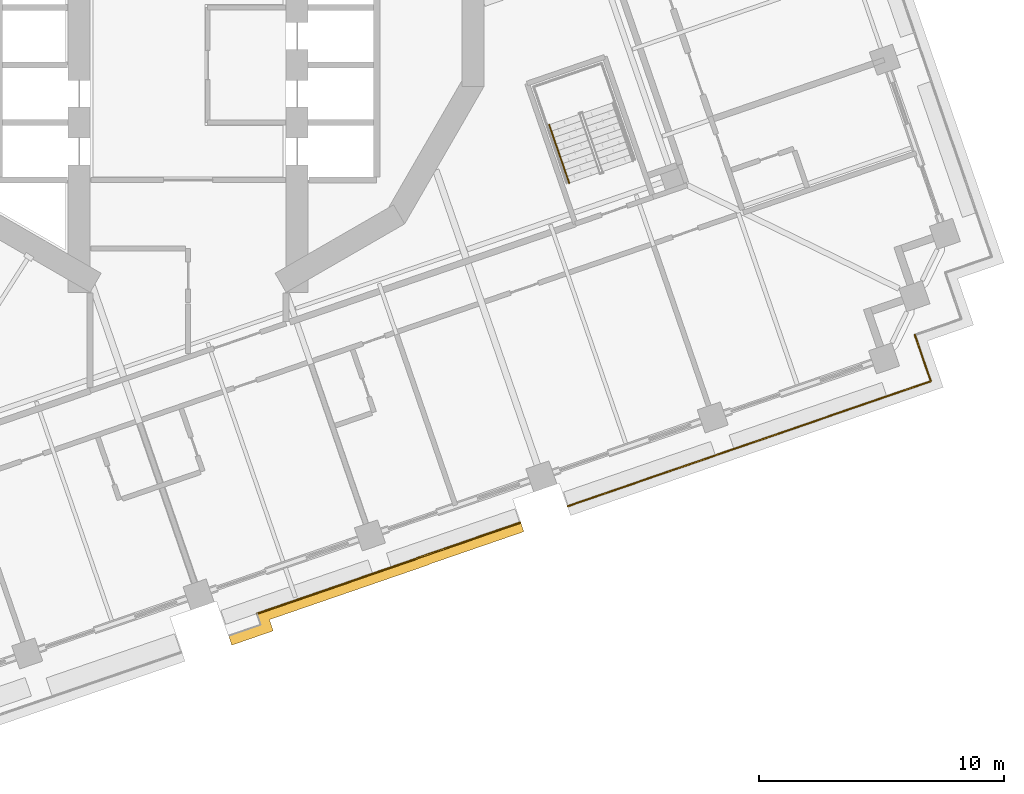
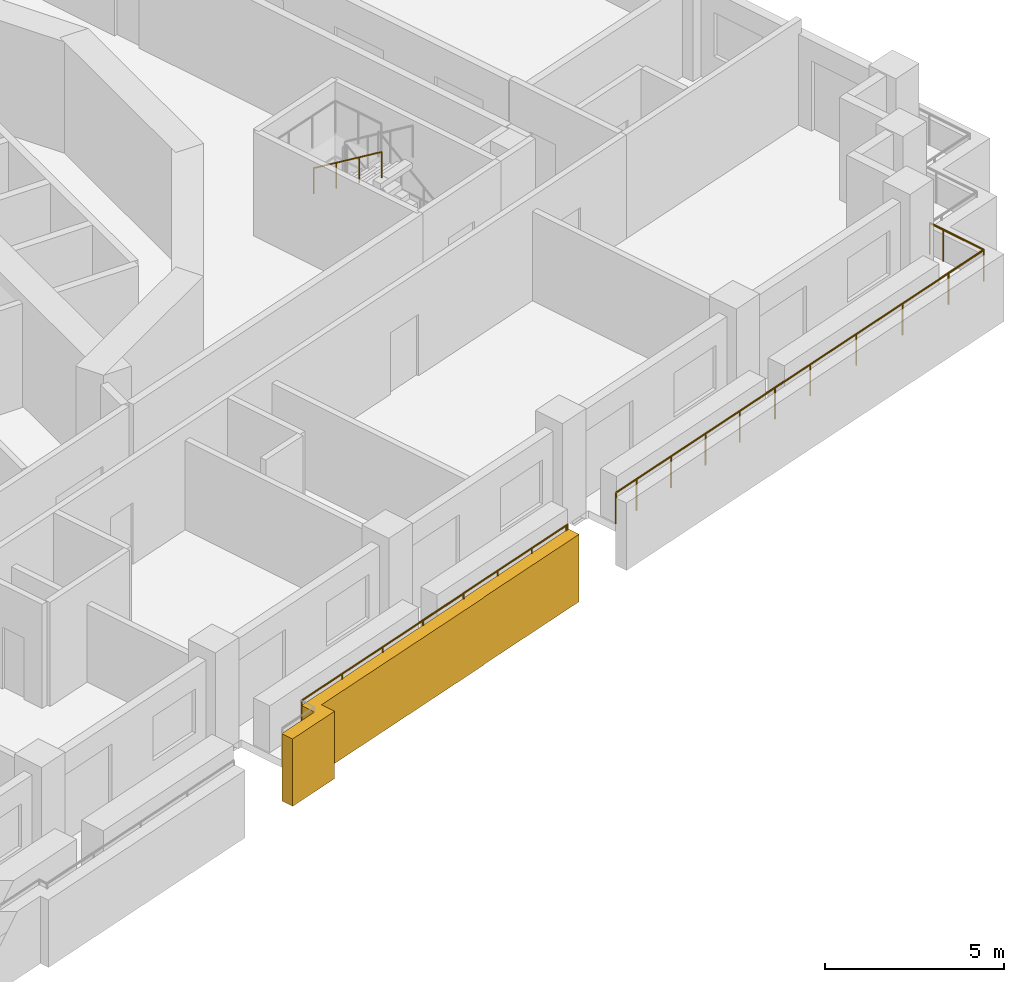
# One storey, part 14 of 19: 3 railings, 1 covering.
"""IFC4 building model written with IfcOpenShell, lengths in metres."""

from ifc_helpers import new_model, si_unit, direction, frame, origin, origin_2d, place, context, subcontext, project, spatial, polyline, circle, outline, extrude, material, type_object, element, save


model = new_model("IFC4")

# Units and contexts
model_context = context("Model", 3, precision=1e-05, world=origin(), true_north=direction((0.0, 1.0)))
body_context = subcontext(model_context, "Body", "Model", "MODEL_VIEW")
ifc_project = project(units=[si_unit("LENGTHUNIT", "METRE"), si_unit("AREAUNIT", "SQUARE_METRE"), si_unit("VOLUMEUNIT", "CUBIC_METRE"), si_unit("PLANEANGLEUNIT", "RADIAN"), si_unit("MASSUNIT", "GRAM", prefix="KILO")], contexts=[model_context])

# Site, building, storey
site_placement = place(None, origin())
site = spatial("IfcSite", under=ifc_project, at=site_placement, CompositionType="ELEMENT")
building_placement = place(site_placement, origin())
building = spatial("IfcBuilding", under=site, at=building_placement, Name="Cantera Rosa Tower", CompositionType="ELEMENT")
storey_placement = place(building_placement, frame((0.0, 0.0, 111.699951171875)))
storey = spatial("IfcBuildingStorey", under=building, at=storey_placement, Name="L22", CompositionType="ELEMENT", Elevation=111.699951171875)

# Railings
ifc_material_1 = material(Name="Stainless steel and laminated glass", Category="steel")
railing_type_1 = type_object("IfcRailingType", Name="GUARD 1100", PredefinedType="BALUSTRADE", material=ifc_material_1)
railing_1_placement = place(storey_placement, frame((13.55615234375, -21.032470703125, 0.0)))
element("IfcRailing", 1, at=railing_1_placement, inside=storey, type_object=railing_type_1, Name="GUARD L22-4", PredefinedType="BALUSTRADE", context=body_context, shape_type="SweptSolid", body=[
    extrude(circle(Radius=0.030029296875, at=origin_2d()), frame((0.0, 0.0, 1.070068359375), z_axis=(-0.946220044844, -0.323523765333, 0.0), x_axis=(0.323523765333, -0.946220044844, 0.0)), (0.0, 0.0, 1.0), 0.070068359375),
    extrude(circle(Radius=0.030029296875, at=origin_2d()), frame((-0.06640625, -0.022705078125, 1.070068359375), z_axis=(-0.945513705783, -0.325582297087, 0.0), x_axis=(0.325582297087, -0.945513705783, 0.0)), (0.0, 0.0, 1.0), 4.38525390625),
    extrude(circle(Radius=0.030029296875, at=origin_2d()), frame((-4.212646484375, -1.450439453125, 1.070068359375), z_axis=(0.331087713029, -0.943599982133, 0.0), x_axis=(0.943599982133, 0.331087713029, 0.0)), (0.0, 0.0, 1.0), 0.0146484375),
    extrude(circle(Radius=0.030029296875, at=origin_2d()), frame((-4.207763671875, -1.46435546875, 1.070068359375), z_axis=(-0.945519949949, -0.32556416303, 0.0), x_axis=(0.32556416303, -0.945519949949, 0.0)), (0.0, 0.0, 1.0), 6.91552734375),
    extrude(circle(Radius=0.02490234375, at=origin_2d()), origin(), (0.0, 0.0, 1.0), 1.0400390625),
    extrude(circle(Radius=0.02490234375, at=origin_2d()), frame((-0.06640625, -0.022705078125, 0.0)), (0.0, 0.0, 1.0), 1.0400390625),
    extrude(circle(Radius=0.02490234375, at=origin_2d()), frame((-1.448486328125, -0.49853515625, 0.0)), (0.0, 0.0, 1.0), 1.0400390625),
    extrude(circle(Radius=0.02490234375, at=origin_2d()), frame((-2.83056640625, -0.974609375, 0.0)), (0.0, 0.0, 1.0), 1.0400390625),
    extrude(circle(Radius=0.02490234375, at=origin_2d()), frame((-4.212646484375, -1.450439453125, 0.0)), (0.0, 0.0, 1.0), 1.0400390625),
    extrude(circle(Radius=0.02490234375, at=origin_2d()), frame((-4.207763671875, -1.46435546875, 0.0)), (0.0, 0.0, 1.0), 1.0400390625),
    extrude(circle(Radius=0.02490234375, at=origin_2d()), frame((-5.842529296875, -2.02734375, 0.0)), (0.0, 0.0, 1.0), 1.0400390625),
    extrude(circle(Radius=0.02490234375, at=origin_2d()), frame((-7.47705078125, -2.590087890625, 0.0)), (0.0, 0.0, 1.0), 1.0400390625),
    extrude(circle(Radius=0.02490234375, at=origin_2d()), frame((-9.11181640625, -3.15283203125, 0.0)), (0.0, 0.0, 1.0), 1.0400390625),
    extrude(circle(Radius=0.02490234375, at=origin_2d()), frame((-10.74658203125, -3.7158203125, 0.0)), (0.0, 0.0, 1.0), 1.0400390625),
])
railing_2_placement = place(storey_placement, frame((29.6689453125, -13.369140625, 0.0)))
element("IfcRailing", 2, at=railing_2_placement, inside=storey, type_object=railing_type_1, Name="GUARD L22-10", PredefinedType="BALUSTRADE", context=body_context, shape_type="SweptSolid", body=[
    extrude(circle(Radius=0.030029296875, at=origin_2d()), frame((0.0, 0.0, 1.070068359375), z_axis=(0.32573481536, -0.945461173218, 0.0), x_axis=(0.945461173218, 0.32573481536, 0.0)), (0.0, 0.0, 1.0), 0.5),
    extrude(circle(Radius=0.030029296875, at=origin_2d()), frame((0.162841796875, -0.47265625, 1.070068359375), z_axis=(0.325489086777, -0.945545797087, 0.0), x_axis=(0.945545797087, 0.325489086777, 0.0)), (0.0, 0.0, 1.0), 1.500244140625),
    extrude(circle(Radius=0.030029296875, at=origin_2d()), frame((0.651123046875, -1.89111328125, 1.070068359375), z_axis=(-0.945528551438, -0.325539181077, 0.0), x_axis=(0.325539181077, -0.945528551438, 0.0)), (0.0, 0.0, 1.0), 1.5),
    extrude(circle(Radius=0.030029296875, at=origin_2d()), frame((-0.76708984375, -2.37939453125, 1.070068359375), z_axis=(-0.945517123015, -0.325572373037, 0.0), x_axis=(0.325572373037, -0.945517123015, 0.0)), (0.0, 0.0, 1.0), 5.900146484375),
    extrude(circle(Radius=0.030029296875, at=origin_2d()), frame((-6.345703125, -4.30029296875, 1.070068359375), z_axis=(-0.945528551438, -0.325539181077, 0.0), x_axis=(0.325539181077, -0.945528551438, 0.0)), (0.0, 0.0, 1.0), 2.999755859375),
    extrude(circle(Radius=0.030029296875, at=origin_2d()), frame((-9.18212890625, -5.27685546875, 1.070068359375), z_axis=(-0.945513227049, -0.325583687361, 0.0), x_axis=(0.325583687361, -0.945513227049, 0.0)), (0.0, 0.0, 1.0), 4.400146484375),
    extrude(circle(Radius=0.030029296875, at=origin_2d()), frame((-13.342529296875, -6.70947265625, 1.070068359375), z_axis=(-0.945522007901, -0.325558186158, 0.0), x_axis=(0.325558186158, -0.945522007901, 0.0)), (0.0, 0.0, 1.0), 0.869873046875),
    extrude(circle(Radius=0.02490234375, at=origin_2d()), origin(), (0.0, 0.0, 1.0), 1.0400390625),
    extrude(circle(Radius=0.02490234375, at=origin_2d()), frame((0.162841796875, -0.47265625, 0.0)), (0.0, 0.0, 1.0), 1.0400390625),
    extrude(circle(Radius=0.02490234375, at=origin_2d()), frame((0.651123046875, -1.89111328125, 0.0)), (0.0, 0.0, 1.0), 1.0400390625),
    extrude(circle(Radius=0.02490234375, at=origin_2d()), frame((-0.76708984375, -2.37939453125, 0.0)), (0.0, 0.0, 1.0), 1.0400390625),
    extrude(circle(Radius=0.02490234375, at=origin_2d()), frame((-2.626708984375, -3.019775390625, 0.0)), (0.0, 0.0, 1.0), 1.0400390625),
    extrude(circle(Radius=0.02490234375, at=origin_2d()), frame((-4.486083984375, -3.659912109375, 0.0)), (0.0, 0.0, 1.0), 1.0400390625),
    extrude(circle(Radius=0.02490234375, at=origin_2d()), frame((-6.345703125, -4.30029296875, 0.0)), (0.0, 0.0, 1.0), 1.0400390625),
    extrude(circle(Radius=0.02490234375, at=origin_2d()), frame((-7.763916015625, -4.78857421875, 0.0)), (0.0, 0.0, 1.0), 1.0400390625),
    extrude(circle(Radius=0.02490234375, at=origin_2d()), frame((-9.18212890625, -5.27685546875, 0.0)), (0.0, 0.0, 1.0), 1.0400390625),
    extrude(circle(Radius=0.02490234375, at=origin_2d()), frame((-10.56884765625, -5.75439453125, 0.0)), (0.0, 0.0, 1.0), 1.0400390625),
    extrude(circle(Radius=0.02490234375, at=origin_2d()), frame((-11.955810546875, -6.23193359375, 0.0)), (0.0, 0.0, 1.0), 1.0400390625),
    extrude(circle(Radius=0.02490234375, at=origin_2d()), frame((-13.342529296875, -6.70947265625, 0.0)), (0.0, 0.0, 1.0), 1.0400390625),
    extrude(circle(Radius=0.02490234375, at=origin_2d()), frame((-14.1650390625, -6.99267578125, 0.0)), (0.0, 0.0, 1.0), 1.0400390625),
])
ifc_material_2 = material(Name="Steel S355J2 (EN 10025-2)", Category="steel")
railing_type_2 = type_object("IfcRailingType", Name="STAIR HANDRAIL 900", PredefinedType="HANDRAIL", material=ifc_material_2)
railing_3_placement = place(storey_placement, frame((14.7353515625, -4.78857421875, 2.090087890625)))
element("IfcRailing", 3, at=railing_3_placement, inside=storey, type_object=railing_type_2, Name="L22 ST-23 stair handrail 2", PredefinedType="HANDRAIL", context=body_context, shape_type="SweptSolid", body=[
    extrude(circle(Radius=0.02392578125, at=origin_2d()), frame((0.0, 0.0, 0.8759765625), z_axis=(0.269358070891, -0.782421063063, 0.561483312059), x_axis=(0.945537585866, 0.325512939397, 0.0)), (0.0, 0.0, 1.0), 3.04541015625),
    extrude(circle(Radius=0.02099609375, at=origin_2d()), origin(), (0.0, 0.0, 1.0), 0.851806640625),
    extrude(circle(Radius=0.02099609375, at=origin_2d()), frame((0.2734375, -0.794189453125, 0.570068359375)), (0.0, 0.0, 1.0), 0.851806640625),
    extrude(circle(Radius=0.02099609375, at=origin_2d()), frame((0.546875, -1.588623046875, 1.139892578125)), (0.0, 0.0, 1.0), 0.851806640625),
    extrude(circle(Radius=0.02099609375, at=origin_2d()), frame((0.8203125, -2.3828125, 1.7099609375)), (0.0, 0.0, 1.0), 0.851806640625),
])

# Covering
ifc_material_3 = material(Name="Cantera stone", Category="masonry")
covering_type = type_object("IfcCoveringType", Name="TRAY FASCIA 400", PredefinedType="CLADDING", material=ifc_material_3)
covering_placement = place(storey_placement, frame((0.0, 0.0, -1.39990234375)))
element("IfcCovering", 4, at=covering_placement, inside=storey, type_object=covering_type, Name="TRAY FASCIA L22-04", PredefinedType="CLADDING", context=body_context, shape_type="SweptSolid", body=[
    extrude(outline(polyline([(13.6201171875, -21.433349609375), (9.85205078125, -22.73095703125), (9.856689453125, -22.744873046875), (3.31787109375, -24.996337890625), (3.4755859375, -25.454345703125), (1.783935546875, -26.036865234375), (1.65380859375, -25.65869140625), (2.96728515625, -25.206298828125), (2.8095703125, -24.748291015625), (9.348388671875, -22.496826171875), (9.343505859375, -22.48291015625), (13.48974609375, -21.05517578125), (13.574951171875, -21.02587890625), (13.705078125, -21.404052734375), (13.6201171875, -21.433349609375)])), origin(), (0.0, 0.0, 1.0), 2.300048828125),
])

save(model, "model.ifc")
